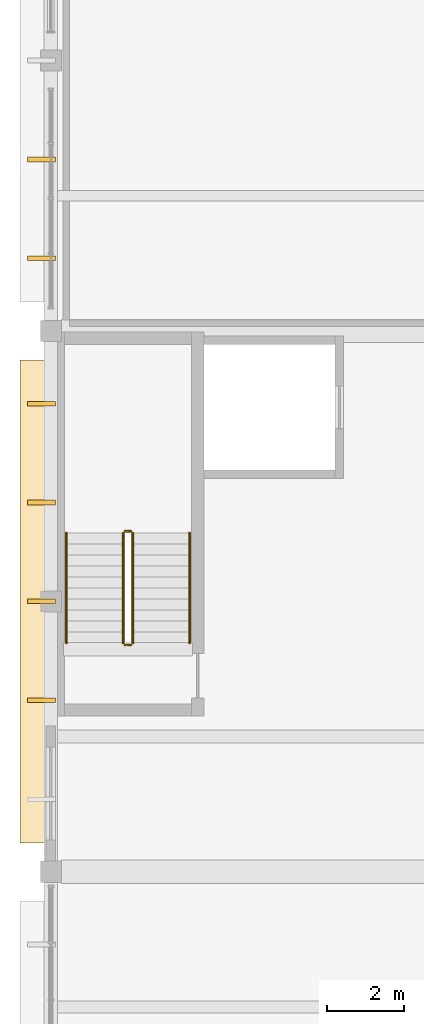
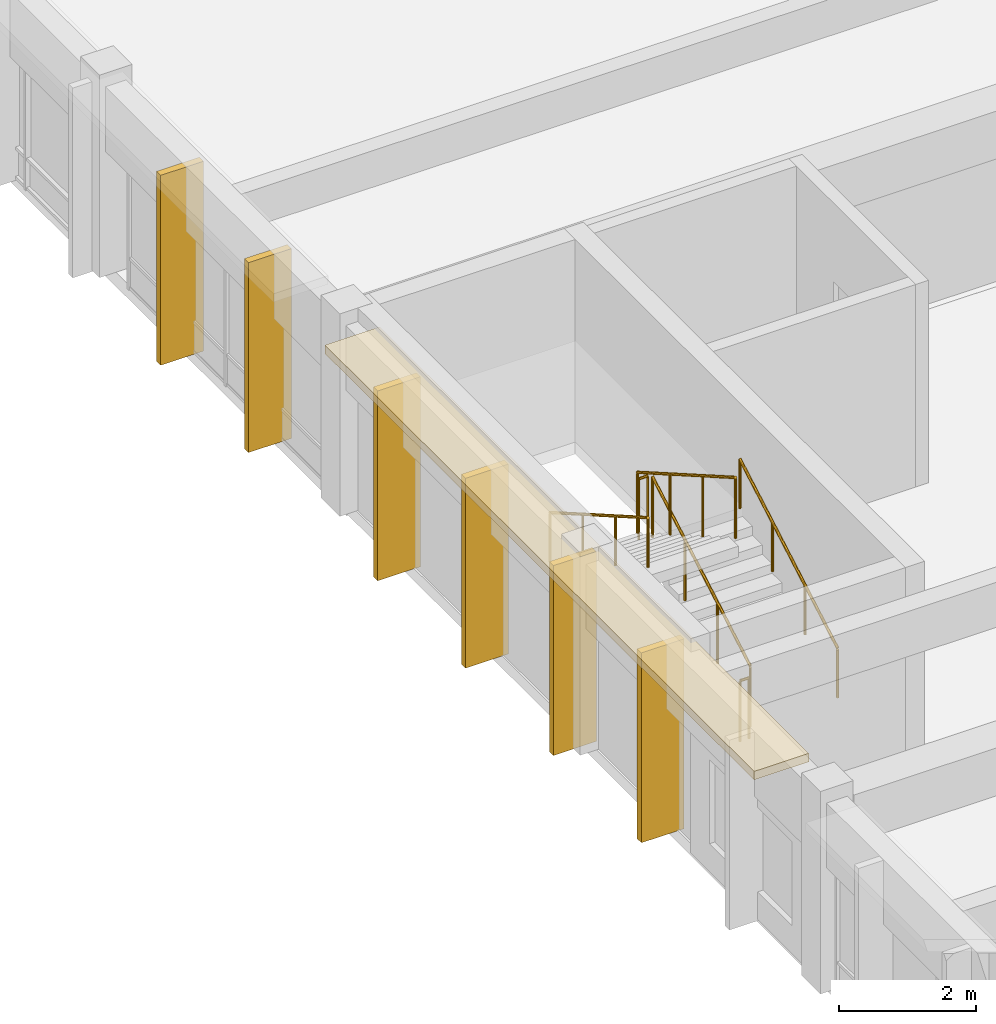
# One storey, part 20 of 23: 7 coverings, 6 railings.
"""IFC4 building model written with IfcOpenShell, lengths in metres."""

from ifc_helpers import new_model, si_unit, direction, frame, origin, origin_2d, place, context, subcontext, project, spatial, rectangle, circle, extrude, material, layer, layer_set, type_object, element, save


model = new_model("IFC4")

# Units and contexts
model_context = context("Model", 3, precision=1e-05, world=origin(), true_north=direction((0.0, 1.0)))
body_context = subcontext(model_context, "Body", "Model", "MODEL_VIEW")
ifc_project = project(units=[si_unit("LENGTHUNIT", "METRE"), si_unit("AREAUNIT", "SQUARE_METRE"), si_unit("VOLUMEUNIT", "CUBIC_METRE"), si_unit("PLANEANGLEUNIT", "RADIAN"), si_unit("MASSUNIT", "GRAM", prefix="KILO")], contexts=[model_context])

# Site, building, storey
site_placement = place(None, origin())
site = spatial("IfcSite", under=ifc_project, at=site_placement, CompositionType="ELEMENT")
building_placement = place(site_placement, origin())
building = spatial("IfcBuilding", under=site, at=building_placement, Name="Larkveld Mobility Hub", CompositionType="ELEMENT")
storey_placement = place(building_placement, frame((0.0, 0.0, 19.199951171875)))
storey = spatial("IfcBuildingStorey", under=building, at=storey_placement, Name="L05", CompositionType="ELEMENT", Elevation=19.199951171875)

# Coverings
ifc_material_1 = material(Name="Precast concrete C50/60", Category="concrete")
ifc_layer_1 = layer(ifc_material_1, 0.14990234375, Name="Precast concrete C50/60", Category="concrete")
ifc_layer_set_1 = layer_set([ifc_layer_1], Name="Precast concrete C50/60")
covering_type_1 = type_object("IfcCoveringType", Name="COV-QSL-H01", PredefinedType="CLADDING", material=ifc_layer_set_1)
covering_placement = place(storey_placement, frame((111.659912109375, 49.0, 3.3701171875), z_axis=(0.0, 0.0, 1.0), x_axis=(0.0, -1.0, 0.0)))
element("IfcCovering", 1, at=covering_placement, inside=storey, type_object=covering_type_1, Name="Precast Quebra-Sol Horizontal Sunbreaker QSH-590", PredefinedType="CLADDING", context=body_context, shape_type="SweptSolid", body=[
    extrude(rectangle(XDim=12.5, YDim=0.919921875, at=origin_2d()), origin(), (0.0, 0.0, 1.0), 0.14990234375),
])
ifc_layer_2 = layer(ifc_material_1, 0.1201171875, Name="Precast concrete C50/60", Category="concrete")
ifc_layer_set_2 = layer_set([ifc_layer_2], Name="Precast concrete C50/60")
covering_type_2 = type_object("IfcCoveringType", Name="COV-QSL-V01", PredefinedType="CLADDING", material=ifc_layer_set_2)
for number, where, z_axis, x_axis, name in (
    (2, (111.760009765625, 54.1201171875, -0.0205078125), (0.0, 0.0, 1.0), (0.0, -1.0, 0.0), "Precast Quebra-Sol Vertical Fin QSV-591"),
    (3, (111.760009765625, 51.56005859375, -0.0205078125), (0.0, 0.0, 1.0), (0.0, -1.0, 0.0), "Precast Quebra-Sol Vertical Fin QSV-592"),
    (4, (111.760009765625, 49.0, -0.0205078125), (0.0, 0.0, 1.0), (0.0, -1.0, 0.0), "Precast Quebra-Sol Vertical Fin QSV-593"),
    (5, (111.760009765625, 46.43994140625, -0.0205078125), (0.0, 0.0, 1.0), (0.0, -1.0, 0.0), "Precast Quebra-Sol Vertical Fin QSV-594"),
    (6, (111.760009765625, 60.43994140625, -0.0205078125), (0.0, 0.0, 1.0), (0.0, -1.0, 0.0), "Precast Quebra-Sol Vertical Fin QSV-600"),
    (7, (111.760009765625, 57.8798828125, -0.0205078125), (0.0, 0.0, 1.0), (0.0, -1.0, 0.0), "Precast Quebra-Sol Vertical Fin QSV-601"),
):
    element("IfcCovering", number, at=place(storey_placement, frame(where, z_axis=z_axis, x_axis=x_axis)), inside=storey, type_object=covering_type_2, Name=name, PredefinedType="CLADDING", context=body_context, shape_type="SweptSolid", body=[
        extrude(rectangle(XDim=0.1201171875, YDim=0.719970703125, at=origin_2d()), origin(), (0.0, 0.0, 1.0), 3.375),
    ])

# Railings
ifc_material_2 = material(Name="Galvanized Steel S355JR balustrade", Category="steel")
railing_type_1 = type_object("IfcRailingType", Name="RL-GRD-1100", PredefinedType="GUARDRAIL", material=ifc_material_2)
railing_1_placement = place(storey_placement, frame((114.1201171875, 47.919921875, 0.16357421875)))
element("IfcRailing", 8, at=railing_1_placement, inside=storey, type_object=railing_type_1, Name="L05 ST3 stair guard 1", PredefinedType="GUARDRAIL", context=body_context, shape_type="SweptSolid", body=[
    extrude(circle(Radius=0.02392578125, at=origin_2d()), frame((0.0, 0.0, 1.076171875), z_axis=(0.0, 0.86721270334, 0.497937874806), x_axis=(-1.0, 0.0, 0.0)), (0.0, 0.0, 1.0), 3.28662109375),
    extrude(circle(Radius=0.02099609375, at=origin_2d()), origin(), (0.0, 0.0, 1.0), 1.052001953125),
    extrude(circle(Radius=0.02099609375, at=origin_2d()), frame((0.0, 0.949951171875, 0.54541015625)), (0.0, 0.0, 1.0), 1.052001953125),
    extrude(circle(Radius=0.02099609375, at=origin_2d()), frame((0.0, 1.900146484375, 1.091064453125)), (0.0, 0.0, 1.0), 1.052001953125),
    extrude(circle(Radius=0.02099609375, at=origin_2d()), frame((0.0, 2.85009765625, 1.636474609375)), (0.0, 0.0, 1.0), 1.052001953125),
])
railing_2_placement = place(storey_placement, frame((114.070068359375, 50.820068359375, 1.800048828125)))
element("IfcRailing", 9, at=railing_2_placement, inside=storey, type_object=railing_type_1, Name="L05 ST3 stair guard 2", PredefinedType="GUARDRAIL", context=body_context, shape_type="SweptSolid", body=[
    extrude(circle(Radius=0.02392578125, at=origin_2d()), frame((0.0, 0.0, 1.076171875), z_axis=(-1.0, 0.0, 0.0), x_axis=(0.0, -1.0, 0.0)), (0.0, 0.0, 1.0), 0.150146484375),
    extrude(circle(Radius=0.02099609375, at=origin_2d()), origin(), (0.0, 0.0, 1.0), 1.052001953125),
    extrude(circle(Radius=0.02099609375, at=origin_2d()), frame((-0.150146484375, 0.0, 0.0)), (0.0, 0.0, 1.0), 1.052001953125),
])
railing_3_placement = place(storey_placement, frame((113.8701171875, 50.77001953125, 1.963623046875)))
element("IfcRailing", 10, at=railing_3_placement, inside=storey, type_object=railing_type_1, Name="L05 ST3 stair guard 3", PredefinedType="GUARDRAIL", context=body_context, shape_type="SweptSolid", body=[
    extrude(circle(Radius=0.02392578125, at=origin_2d()), frame((0.0, 0.0, 1.076171875), z_axis=(0.0, -0.86721270334, 0.497937874806), x_axis=(1.0, 0.0, 0.0)), (0.0, 0.0, 1.0), 3.28662109375),
    extrude(circle(Radius=0.02099609375, at=origin_2d()), origin(), (0.0, 0.0, 1.0), 1.052001953125),
    extrude(circle(Radius=0.02099609375, at=origin_2d()), frame((0.0, -0.949951171875, 0.54541015625)), (0.0, 0.0, 1.0), 1.052001953125),
    extrude(circle(Radius=0.02099609375, at=origin_2d()), frame((0.0, -1.900146484375, 1.091064453125)), (0.0, 0.0, 1.0), 1.052001953125),
    extrude(circle(Radius=0.02099609375, at=origin_2d()), frame((0.0, -2.85009765625, 1.636474609375)), (0.0, 0.0, 1.0), 1.052001953125),
])
railing_4_placement = place(storey_placement, frame((114.070068359375, 47.8701171875, 0.0)))
element("IfcRailing", 11, at=railing_4_placement, inside=storey, type_object=railing_type_1, Name="L05 ST3 stair guard 4", PredefinedType="GUARDRAIL", context=body_context, shape_type="SweptSolid", body=[
    extrude(circle(Radius=0.02392578125, at=origin_2d()), frame((0.0, 0.0, 1.076171875), z_axis=(-1.0, 0.0, 0.0), x_axis=(0.0, -1.0, 0.0)), (0.0, 0.0, 1.0), 0.150146484375),
    extrude(circle(Radius=0.02099609375, at=origin_2d()), origin(), (0.0, 0.0, 1.0), 1.052001953125),
    extrude(circle(Radius=0.02099609375, at=origin_2d()), frame((-0.150146484375, 0.0, 0.0)), (0.0, 0.0, 1.0), 1.052001953125),
])
ifc_material_3 = material(Name="Brushed Steel S355JR tubular handrail", Category="steel")
railing_type_2 = type_object("IfcRailingType", Name="RL-HND-0900", PredefinedType="HANDRAIL", material=ifc_material_3)
railing_5_placement = place(storey_placement, frame((115.590087890625, 47.919921875, 0.16357421875)))
element("IfcRailing", 12, at=railing_5_placement, inside=storey, type_object=railing_type_2, Name="L05 ST3 stair handrail 1", PredefinedType="HANDRAIL", context=body_context, shape_type="SweptSolid", body=[
    extrude(circle(Radius=0.02392578125, at=origin_2d()), frame((0.0, 0.0, 0.8759765625), z_axis=(0.0, 0.86721270334, 0.497937874806), x_axis=(-1.0, 0.0, 0.0)), (0.0, 0.0, 1.0), 3.28662109375),
    extrude(circle(Radius=0.02099609375, at=origin_2d()), origin(), (0.0, 0.0, 1.0), 0.851806640625),
    extrude(circle(Radius=0.02099609375, at=origin_2d()), frame((0.0, 0.949951171875, 0.54541015625)), (0.0, 0.0, 1.0), 0.851806640625),
    extrude(circle(Radius=0.02099609375, at=origin_2d()), frame((0.0, 1.900146484375, 1.091064453125)), (0.0, 0.0, 1.0), 0.851806640625),
    extrude(circle(Radius=0.02099609375, at=origin_2d()), frame((0.0, 2.85009765625, 1.636474609375)), (0.0, 0.0, 1.0), 0.851806640625),
])
railing_6_placement = place(storey_placement, frame((112.39990234375, 50.77001953125, 1.963623046875)))
element("IfcRailing", 13, at=railing_6_placement, inside=storey, type_object=railing_type_2, Name="L05 ST3 stair handrail 2", PredefinedType="HANDRAIL", context=body_context, shape_type="SweptSolid", body=[
    extrude(circle(Radius=0.02392578125, at=origin_2d()), frame((0.0, 0.0, 0.8759765625), z_axis=(0.0, -0.86721270334, 0.497937874806), x_axis=(1.0, 0.0, 0.0)), (0.0, 0.0, 1.0), 3.28662109375),
    extrude(circle(Radius=0.02099609375, at=origin_2d()), origin(), (0.0, 0.0, 1.0), 0.851806640625),
    extrude(circle(Radius=0.02099609375, at=origin_2d()), frame((0.0, -0.949951171875, 0.54541015625)), (0.0, 0.0, 1.0), 0.851806640625),
    extrude(circle(Radius=0.02099609375, at=origin_2d()), frame((0.0, -1.900146484375, 1.091064453125)), (0.0, 0.0, 1.0), 0.851806640625),
    extrude(circle(Radius=0.02099609375, at=origin_2d()), frame((0.0, -2.85009765625, 1.636474609375)), (0.0, 0.0, 1.0), 0.851806640625),
])

save(model, "model.ifc")
